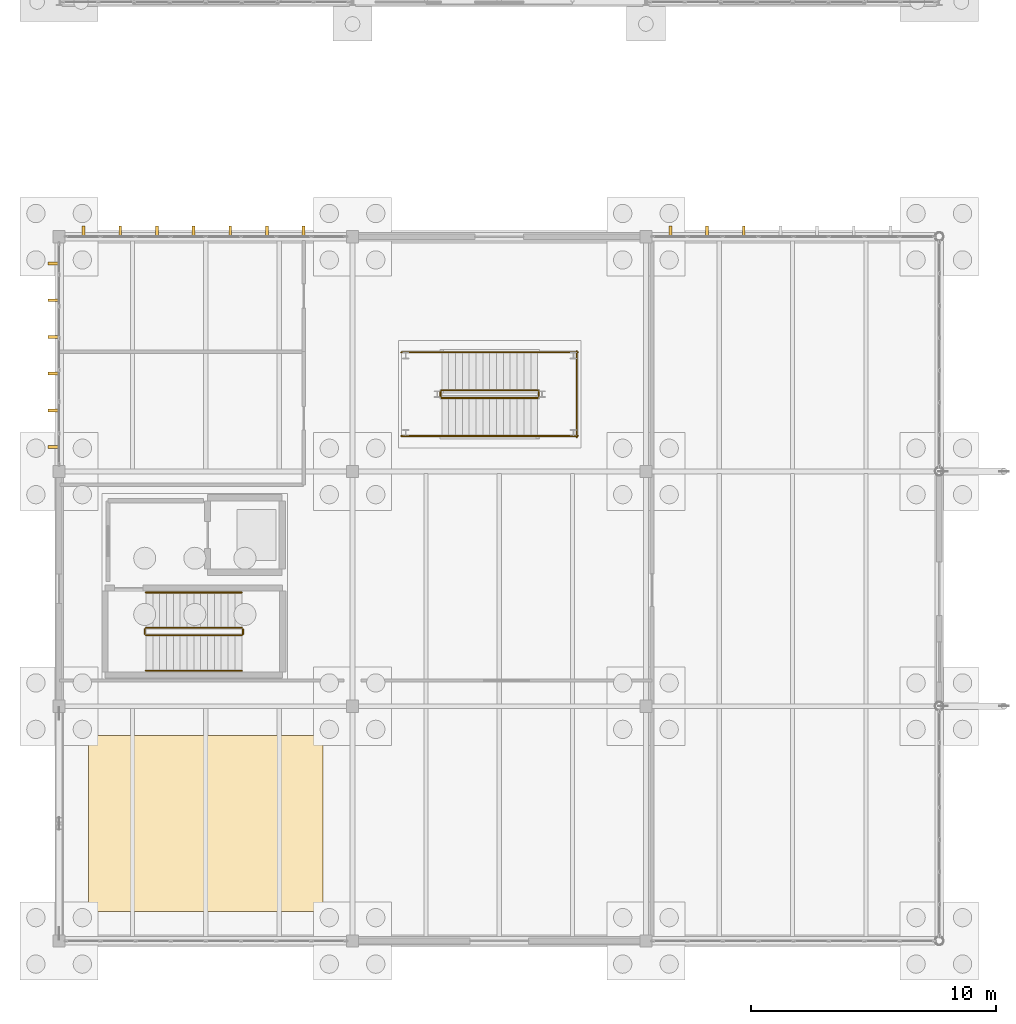
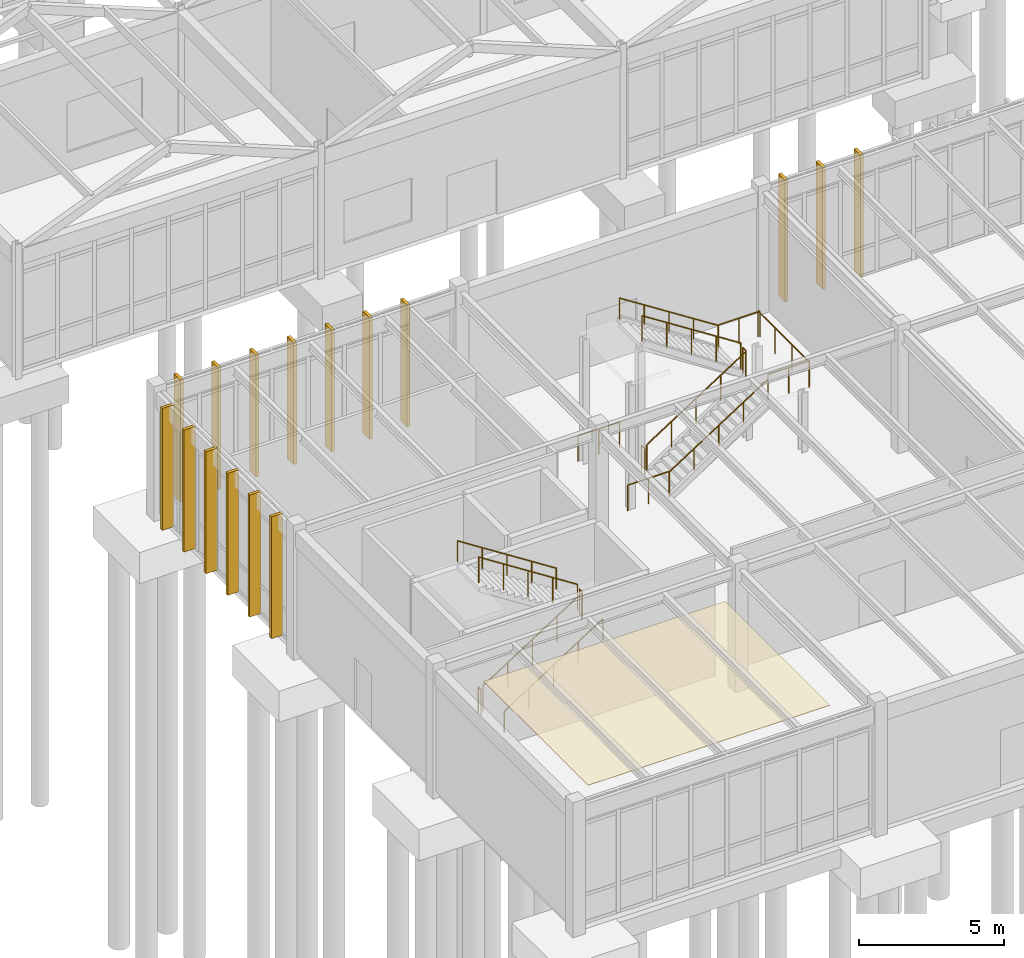
# One storey, part 172 of 188: 17 railings, 16 shading devices, 1 covering.
"""IFC4 building model written with IfcOpenShell, lengths in metres."""

from ifc_helpers import new_model, si_unit, direction, frame, origin, origin_2d, place, context, subcontext, project, spatial, polyline, rectangle, circle, outline, extrude, material, layer, layer_set, type_object, element, save


model = new_model("IFC4")

# Units and contexts
model_context = context("Model", 3, precision=1e-05, world=origin(), true_north=direction((0.0, 1.0)))
body_context = subcontext(model_context, "Body", "Model", "MODEL_VIEW")
ifc_project = project(units=[si_unit("LENGTHUNIT", "METRE"), si_unit("AREAUNIT", "SQUARE_METRE"), si_unit("VOLUMEUNIT", "CUBIC_METRE"), si_unit("PLANEANGLEUNIT", "RADIAN"), si_unit("MASSUNIT", "GRAM", prefix="KILO")], contexts=[model_context])

# Site, building, storey
site_placement = place(None, origin())
site = spatial("IfcSite", under=ifc_project, at=site_placement, CompositionType="ELEMENT")
building_placement = place(site_placement, origin())
building = spatial("IfcBuilding", under=site, at=building_placement, Name="Pandanus Reach Market Hall", CompositionType="ELEMENT")
storey_placement = place(building_placement, origin())
storey = spatial("IfcBuildingStorey", under=building, at=storey_placement, Name="L00", CompositionType="ELEMENT", Elevation=0.0)

# Covering
ifc_material_1 = material(Name="Perforated acoustic gypsum board", Category="gypsum")
ifc_layer = layer(ifc_material_1, 0.02001953125, Name="CLG-ACT-20")
ifc_layer_set = layer_set([ifc_layer], Name="Perforated acoustic gypsum board")
covering_type = type_object("IfcCoveringType", Name="CLG-ACT-20", PredefinedType="CEILING", material=ifc_layer_set)
covering_placement = place(storey_placement, frame((0.0, 0.0, 4.734619140625)))
element("IfcCovering", 1, at=covering_placement, inside=storey, type_object=covering_type, Name="Perforated acoustic ceiling L00.1", PredefinedType="CEILING", context=body_context, shape_type="SweptSolid", body=[
    extrude(outline(polyline([(1.199951171875, 1.199951171875), (10.800048828125, 1.199951171875), (10.800048828125, 8.39990234375), (1.199951171875, 8.39990234375), (1.199951171875, 1.199951171875)])), origin(), (0.0, 0.0, 1.0), 0.02001953125),
])

# Shading devices
ifc_material_2 = material(Name="Precast concrete S50 (50 MPa)", Category="concrete")
shading_device_type = type_object("IfcShadingDeviceType", Name="FN-S50-450", PredefinedType="JALOUSIE", material=ifc_material_2)
for number, where, z_axis, x_axis, name in (
    (2, (1.0, 29.02001953125, -0.010009765625), (0.0, 0.0, 1.0), (0.0, 1.0, 0.0), "Precast brise-soleil fin 194"),
    (3, (2.5, 29.02001953125, -0.010009765625), (0.0, 0.0, 1.0), (0.0, 1.0, 0.0), "Precast brise-soleil fin 195"),
    (4, (4.0, 29.02001953125, -0.010009765625), (0.0, 0.0, 1.0), (0.0, 1.0, 0.0), "Precast brise-soleil fin 196"),
    (5, (5.5, 29.02001953125, -0.010009765625), (0.0, 0.0, 1.0), (0.0, 1.0, 0.0), "Precast brise-soleil fin 197"),
    (6, (7.0, 29.02001953125, -0.010009765625), (0.0, 0.0, 1.0), (0.0, 1.0, 0.0), "Precast brise-soleil fin 198"),
    (7, (8.5, 29.02001953125, -0.010009765625), (0.0, 0.0, 1.0), (0.0, 1.0, 0.0), "Precast brise-soleil fin 199"),
    (8, (10.0, 29.02001953125, -0.010009765625), (0.0, 0.0, 1.0), (0.0, 1.0, 0.0), "Precast brise-soleil fin 200"),
    (9, (25.0, 29.02001953125, -0.010009765625), (0.0, 0.0, 1.0), (0.0, 1.0, 0.0), "Precast brise-soleil fin 201"),
    (10, (26.5, 29.02001953125, -0.010009765625), (0.0, 0.0, 1.0), (0.0, 1.0, 0.0), "Precast brise-soleil fin 202"),
    (11, (28.0, 29.02001953125, -0.010009765625), (0.0, 0.0, 1.0), (0.0, 1.0, 0.0), "Precast brise-soleil fin 203"),
    (12, (-0.219970703125, 20.199951171875, -0.010009765625), (0.0, 0.0, 1.0), (-1.0, 0.0, 0.0), "Precast brise-soleil fin 208"),
    (13, (-0.219970703125, 21.699951171875, -0.010009765625), (0.0, 0.0, 1.0), (-1.0, 0.0, 0.0), "Precast brise-soleil fin 209"),
    (14, (-0.219970703125, 23.199951171875, -0.010009765625), (0.0, 0.0, 1.0), (-1.0, 0.0, 0.0), "Precast brise-soleil fin 210"),
    (15, (-0.219970703125, 24.699951171875, -0.010009765625), (0.0, 0.0, 1.0), (-1.0, 0.0, 0.0), "Precast brise-soleil fin 211"),
    (16, (-0.219970703125, 26.199951171875, -0.010009765625), (0.0, 0.0, 1.0), (-1.0, 0.0, 0.0), "Precast brise-soleil fin 212"),
    (17, (-0.219970703125, 27.699951171875, -0.010009765625), (0.0, 0.0, 1.0), (-1.0, 0.0, 0.0), "Precast brise-soleil fin 213"),
):
    element("IfcShadingDevice", number, at=place(storey_placement, frame(where, z_axis=z_axis, x_axis=x_axis)), inside=storey, type_object=shading_device_type, Name=name, PredefinedType="JALOUSIE", context=body_context, shape_type="SweptSolid", body=[
        extrude(rectangle(XDim=0.449951171875, YDim=0.1201171875, at=origin_2d()), origin(), (0.0, 0.0, 1.0), 5.1201171875),
    ])

# Railings
ifc_material_3 = material(Name="Galvanised steel Grade 350 (350 MPa)", Category="steel")
railing_type_1 = type_object("IfcRailingType", Name="GR-INT-110", PredefinedType="GUARDRAIL", material=ifc_material_3)
railing_1_placement = place(storey_placement, frame((3.550048828125, 12.5, 0.179931640625)))
element("IfcRailing", 18, at=railing_1_placement, inside=storey, type_object=railing_type_1, Name="Stair guard ST-04 L00.94", PredefinedType="GUARDRAIL", context=body_context, shape_type="SweptSolid", body=[
    extrude(circle(Radius=0.02392578125, at=origin_2d()), frame((0.0, 0.0, 1.076171875), z_axis=(0.841171666519, 0.0, 0.540768182723), x_axis=(0.0, 1.0, 0.0)), (0.0, 0.0, 1.0), 4.66015625),
    extrude(circle(Radius=0.02099609375, at=origin_2d()), origin(), (0.0, 0.0, 1.0), 1.052001953125),
    extrude(circle(Radius=0.02099609375, at=origin_2d()), frame((0.97998046875, 0.0, 0.6298828125)), (0.0, 0.0, 1.0), 1.052001953125),
    extrude(circle(Radius=0.02099609375, at=origin_2d()), frame((1.9599609375, 0.0, 1.260009765625)), (0.0, 0.0, 1.0), 1.052001953125),
    extrude(circle(Radius=0.02099609375, at=origin_2d()), frame((2.93994140625, 0.0, 1.89013671875)), (0.0, 0.0, 1.0), 1.052001953125),
    extrude(circle(Radius=0.02099609375, at=origin_2d()), frame((3.919921875, 0.0, 2.52001953125)), (0.0, 0.0, 1.0), 1.052001953125),
])
railing_2_placement = place(storey_placement, frame((7.52001953125, 12.550048828125, 2.699951171875)))
element("IfcRailing", 19, at=railing_2_placement, inside=storey, type_object=railing_type_1, Name="Stair guard ST-04 L00.95", PredefinedType="GUARDRAIL", context=body_context, shape_type="SweptSolid", body=[
    extrude(circle(Radius=0.02392578125, at=origin_2d()), frame((0.0, 0.0, 1.076171875), z_axis=(0.0, 1.0, 0.0), x_axis=(-1.0, 0.0, 0.0)), (0.0, 0.0, 1.0), 0.199951171875),
    extrude(circle(Radius=0.02099609375, at=origin_2d()), origin(), (0.0, 0.0, 1.0), 1.052001953125),
    extrude(circle(Radius=0.02099609375, at=origin_2d()), frame((0.0, 0.199951171875, 0.0)), (0.0, 0.0, 1.0), 1.052001953125),
])
railing_3_placement = place(storey_placement, frame((7.469970703125, 12.800048828125, 2.8798828125)))
element("IfcRailing", 20, at=railing_3_placement, inside=storey, type_object=railing_type_1, Name="Stair guard ST-04 L00.96", PredefinedType="GUARDRAIL", context=body_context, shape_type="SweptSolid", body=[
    extrude(circle(Radius=0.02392578125, at=origin_2d()), frame((0.0, 0.0, 1.076171875), z_axis=(-0.841171666519, 0.0, 0.540768182723), x_axis=(0.0, -1.0, 0.0)), (0.0, 0.0, 1.0), 4.66015625),
    extrude(circle(Radius=0.02099609375, at=origin_2d()), origin(), (0.0, 0.0, 1.0), 1.052001953125),
    extrude(circle(Radius=0.02099609375, at=origin_2d()), frame((-0.97998046875, 0.0, 0.6298828125)), (0.0, 0.0, 1.0), 1.052001953125),
    extrude(circle(Radius=0.02099609375, at=origin_2d()), frame((-1.9599609375, 0.0, 1.260009765625)), (0.0, 0.0, 1.0), 1.052001953125),
    extrude(circle(Radius=0.02099609375, at=origin_2d()), frame((-2.93994140625, 0.0, 1.89013671875)), (0.0, 0.0, 1.0), 1.052001953125),
    extrude(circle(Radius=0.02099609375, at=origin_2d()), frame((-3.919921875, 0.0, 2.52001953125)), (0.0, 0.0, 1.0), 1.052001953125),
])
railing_4_placement = place(storey_placement, frame((3.5, 12.550048828125, 0.0)))
element("IfcRailing", 21, at=railing_4_placement, inside=storey, type_object=railing_type_1, Name="Stair guard ST-04 L00.97", PredefinedType="GUARDRAIL", context=body_context, shape_type="SweptSolid", body=[
    extrude(circle(Radius=0.02392578125, at=origin_2d()), frame((0.0, 0.0, 1.076171875), z_axis=(0.0, 1.0, 0.0), x_axis=(-1.0, 0.0, 0.0)), (0.0, 0.0, 1.0), 0.199951171875),
    extrude(circle(Radius=0.02099609375, at=origin_2d()), origin(), (0.0, 0.0, 1.0), 1.052001953125),
    extrude(circle(Radius=0.02099609375, at=origin_2d()), frame((0.0, 0.199951171875, 0.0)), (0.0, 0.0, 1.0), 1.052001953125),
])
railing_5_placement = place(storey_placement, frame((15.64990234375, 22.199951171875, 0.179931640625)))
element("IfcRailing", 22, at=railing_5_placement, inside=storey, type_object=railing_type_1, Name="Stair guard ST-10 L00.164", PredefinedType="GUARDRAIL", context=body_context, shape_type="SweptSolid", body=[
    extrude(circle(Radius=0.02392578125, at=origin_2d()), frame((0.0, 0.0, 1.076171875), z_axis=(0.841186985886, 0.0, 0.540744352514), x_axis=(0.0, 1.0, 0.0)), (0.0, 0.0, 1.0), 4.660400390625),
    extrude(circle(Radius=0.02099609375, at=origin_2d()), origin(), (0.0, 0.0, 1.0), 1.052001953125),
    extrude(circle(Radius=0.02099609375, at=origin_2d()), frame((0.97998046875, 0.0, 0.6298828125)), (0.0, 0.0, 1.0), 1.052001953125),
    extrude(circle(Radius=0.02099609375, at=origin_2d()), frame((1.9599609375, 0.0, 1.260009765625)), (0.0, 0.0, 1.0), 1.052001953125),
    extrude(circle(Radius=0.02099609375, at=origin_2d()), frame((2.940185546875, 0.0, 1.89013671875)), (0.0, 0.0, 1.0), 1.052001953125),
    extrude(circle(Radius=0.02099609375, at=origin_2d()), frame((3.920166015625, 0.0, 2.52001953125)), (0.0, 0.0, 1.0), 1.052001953125),
])
railing_6_placement = place(storey_placement, frame((19.6201171875, 22.25, 2.699951171875)))
element("IfcRailing", 23, at=railing_6_placement, inside=storey, type_object=railing_type_1, Name="Stair guard ST-10 L00.165", PredefinedType="GUARDRAIL", context=body_context, shape_type="SweptSolid", body=[
    extrude(circle(Radius=0.02392578125, at=origin_2d()), frame((0.0, 0.0, 1.076171875), z_axis=(0.0, 1.0, 0.0), x_axis=(-1.0, 0.0, 0.0)), (0.0, 0.0, 1.0), 0.219970703125),
    extrude(circle(Radius=0.02099609375, at=origin_2d()), origin(), (0.0, 0.0, 1.0), 1.052001953125),
    extrude(circle(Radius=0.02099609375, at=origin_2d()), frame((0.0, 0.219970703125, 0.0)), (0.0, 0.0, 1.0), 1.052001953125),
])
for number, where, name in (
    (24, (19.570068359375, 20.64990234375, 2.699951171875), "Stair guard ST-10 L00.166"),
    (25, (19.570068359375, 24.070068359375, 2.699951171875), "Stair guard ST-10 L00.167"),
):
    element("IfcRailing", number, at=place(storey_placement, frame(where)), inside=storey, type_object=railing_type_1, Name=name, PredefinedType="GUARDRAIL", context=body_context, shape_type="SweptSolid", body=[
        extrude(circle(Radius=0.02392578125, at=origin_2d()), frame((0.0, 0.0, 1.076171875), z_axis=(1.0, 0.0, 0.0), x_axis=(0.0, 1.0, 0.0)), (0.0, 0.0, 1.0), 1.64990234375),
        extrude(circle(Radius=0.02099609375, at=origin_2d()), origin(), (0.0, 0.0, 1.0), 1.052001953125),
        extrude(circle(Radius=0.02099609375, at=origin_2d()), frame((0.824951171875, 0.0, 0.0)), (0.0, 0.0, 1.0), 1.052001953125),
        extrude(circle(Radius=0.02099609375, at=origin_2d()), frame((1.64990234375, 0.0, 0.0)), (0.0, 0.0, 1.0), 1.052001953125),
    ])
railing_7_placement = place(storey_placement, frame((21.169921875, 20.60009765625, 2.699951171875)))
element("IfcRailing", 26, at=railing_7_placement, inside=storey, type_object=railing_type_1, Name="Stair guard ST-10 L00.168", PredefinedType="GUARDRAIL", context=body_context, shape_type="SweptSolid", body=[
    extrude(circle(Radius=0.02392578125, at=origin_2d()), frame((0.0, 0.0, 1.076171875), z_axis=(0.0, 1.0, 0.0), x_axis=(-1.0, 0.0, 0.0)), (0.0, 0.0, 1.0), 3.52001953125),
    extrude(circle(Radius=0.02099609375, at=origin_2d()), origin(), (0.0, 0.0, 1.0), 1.052001953125),
    extrude(circle(Radius=0.02099609375, at=origin_2d()), frame((0.0, 1.17333984375, 0.0)), (0.0, 0.0, 1.0), 1.052001953125),
    extrude(circle(Radius=0.02099609375, at=origin_2d()), frame((0.0, 2.3466796875, 0.0)), (0.0, 0.0, 1.0), 1.052001953125),
    extrude(circle(Radius=0.02099609375, at=origin_2d()), frame((0.0, 3.52001953125, 0.0)), (0.0, 0.0, 1.0), 1.052001953125),
])
railing_8_placement = place(storey_placement, frame((19.570068359375, 22.52001953125, 2.8798828125)))
element("IfcRailing", 27, at=railing_8_placement, inside=storey, type_object=railing_type_1, Name="Stair guard ST-10 L00.169", PredefinedType="GUARDRAIL", context=body_context, shape_type="SweptSolid", body=[
    extrude(circle(Radius=0.02392578125, at=origin_2d()), frame((0.0, 0.0, 1.076171875), z_axis=(-0.841186985886, 0.0, 0.540744352514), x_axis=(0.0, -1.0, 0.0)), (0.0, 0.0, 1.0), 4.660400390625),
    extrude(circle(Radius=0.02099609375, at=origin_2d()), origin(), (0.0, 0.0, 1.0), 1.052001953125),
    extrude(circle(Radius=0.02099609375, at=origin_2d()), frame((-0.97998046875, 0.0, 0.6298828125)), (0.0, 0.0, 1.0), 1.052001953125),
    extrude(circle(Radius=0.02099609375, at=origin_2d()), frame((-1.9599609375, 0.0, 1.260009765625)), (0.0, 0.0, 1.0), 1.052001953125),
    extrude(circle(Radius=0.02099609375, at=origin_2d()), frame((-2.940185546875, 0.0, 1.89013671875)), (0.0, 0.0, 1.0), 1.052001953125),
    extrude(circle(Radius=0.02099609375, at=origin_2d()), frame((-3.920166015625, 0.0, 2.52001953125)), (0.0, 0.0, 1.0), 1.052001953125),
])
railing_9_placement = place(storey_placement, frame((15.60009765625, 22.25, 0.0)))
element("IfcRailing", 28, at=railing_9_placement, inside=storey, type_object=railing_type_1, Name="Stair guard ST-10 L00.170", PredefinedType="GUARDRAIL", context=body_context, shape_type="SweptSolid", body=[
    extrude(circle(Radius=0.02392578125, at=origin_2d()), frame((0.0, 0.0, 1.076171875), z_axis=(0.0, 1.0, 0.0), x_axis=(-1.0, 0.0, 0.0)), (0.0, 0.0, 1.0), 0.219970703125),
    extrude(circle(Radius=0.02099609375, at=origin_2d()), origin(), (0.0, 0.0, 1.0), 1.052001953125),
    extrude(circle(Radius=0.02099609375, at=origin_2d()), frame((0.0, 0.219970703125, 0.0)), (0.0, 0.0, 1.0), 1.052001953125),
])
for number, where, name in (
    (29, (14.0, 20.64990234375, 0.0), "Stair guard ST-10 L00.171"),
    (30, (14.0, 24.070068359375, 0.0), "Stair guard ST-10 L00.172"),
):
    element("IfcRailing", number, at=place(storey_placement, frame(where)), inside=storey, type_object=railing_type_1, Name=name, PredefinedType="GUARDRAIL", context=body_context, shape_type="SweptSolid", body=[
        extrude(circle(Radius=0.02392578125, at=origin_2d()), frame((0.0, 0.0, 1.076171875), z_axis=(1.0, 0.0, 0.0), x_axis=(0.0, 1.0, 0.0)), (0.0, 0.0, 1.0), 1.64990234375),
        extrude(circle(Radius=0.02099609375, at=origin_2d()), origin(), (0.0, 0.0, 1.0), 1.052001953125),
        extrude(circle(Radius=0.02099609375, at=origin_2d()), frame((0.824951171875, 0.0, 0.0)), (0.0, 0.0, 1.0), 1.052001953125),
        extrude(circle(Radius=0.02099609375, at=origin_2d()), frame((1.64990234375, 0.0, 0.0)), (0.0, 0.0, 1.0), 1.052001953125),
    ])
ifc_material_4 = material(Name="Brushed stainless steel", Category="steel")
railing_type_2 = type_object("IfcRailingType", Name="HR-WAL-090", PredefinedType="HANDRAIL", material=ifc_material_4)
railing_10_placement = place(storey_placement, frame((3.550048828125, 11.050048828125, 0.179931640625)))
element("IfcRailing", 31, at=railing_10_placement, inside=storey, type_object=railing_type_2, Name="Stair handrail ST-04 L00.98", PredefinedType="HANDRAIL", context=body_context, shape_type="SweptSolid", body=[
    extrude(circle(Radius=0.02392578125, at=origin_2d()), frame((0.0, 0.0, 0.8759765625), z_axis=(0.841171666519, 0.0, 0.540768182723), x_axis=(0.0, 1.0, 0.0)), (0.0, 0.0, 1.0), 4.66015625),
    extrude(circle(Radius=0.02099609375, at=origin_2d()), origin(), (0.0, 0.0, 1.0), 0.851806640625),
    extrude(circle(Radius=0.02099609375, at=origin_2d()), frame((0.97998046875, 0.0, 0.6298828125)), (0.0, 0.0, 1.0), 0.851806640625),
    extrude(circle(Radius=0.02099609375, at=origin_2d()), frame((1.9599609375, 0.0, 1.260009765625)), (0.0, 0.0, 1.0), 0.851806640625),
    extrude(circle(Radius=0.02099609375, at=origin_2d()), frame((2.93994140625, 0.0, 1.89013671875)), (0.0, 0.0, 1.0), 0.851806640625),
    extrude(circle(Radius=0.02099609375, at=origin_2d()), frame((3.919921875, 0.0, 2.52001953125)), (0.0, 0.0, 1.0), 0.851806640625),
])
railing_11_placement = place(storey_placement, frame((7.469970703125, 14.25, 2.8798828125)))
element("IfcRailing", 32, at=railing_11_placement, inside=storey, type_object=railing_type_2, Name="Stair handrail ST-04 L00.99", PredefinedType="HANDRAIL", context=body_context, shape_type="SweptSolid", body=[
    extrude(circle(Radius=0.02392578125, at=origin_2d()), frame((0.0, 0.0, 0.8759765625), z_axis=(-0.841171666519, 0.0, 0.540768182723), x_axis=(0.0, -1.0, 0.0)), (0.0, 0.0, 1.0), 4.66015625),
    extrude(circle(Radius=0.02099609375, at=origin_2d()), origin(), (0.0, 0.0, 1.0), 0.851806640625),
    extrude(circle(Radius=0.02099609375, at=origin_2d()), frame((-0.97998046875, 0.0, 0.6298828125)), (0.0, 0.0, 1.0), 0.851806640625),
    extrude(circle(Radius=0.02099609375, at=origin_2d()), frame((-1.9599609375, 0.0, 1.260009765625)), (0.0, 0.0, 1.0), 0.851806640625),
    extrude(circle(Radius=0.02099609375, at=origin_2d()), frame((-2.93994140625, 0.0, 1.89013671875)), (0.0, 0.0, 1.0), 0.851806640625),
    extrude(circle(Radius=0.02099609375, at=origin_2d()), frame((-3.919921875, 0.0, 2.52001953125)), (0.0, 0.0, 1.0), 0.851806640625),
])
railing_12_placement = place(storey_placement, frame((15.64990234375, 20.64990234375, 0.179931640625)))
element("IfcRailing", 33, at=railing_12_placement, inside=storey, type_object=railing_type_2, Name="Stair handrail ST-10 L00.173", PredefinedType="HANDRAIL", context=body_context, shape_type="SweptSolid", body=[
    extrude(circle(Radius=0.02392578125, at=origin_2d()), frame((0.0, 0.0, 0.8759765625), z_axis=(0.841186985886, 0.0, 0.540744352514), x_axis=(0.0, 1.0, 0.0)), (0.0, 0.0, 1.0), 4.660400390625),
    extrude(circle(Radius=0.02099609375, at=origin_2d()), origin(), (0.0, 0.0, 1.0), 0.851806640625),
    extrude(circle(Radius=0.02099609375, at=origin_2d()), frame((0.97998046875, 0.0, 0.6298828125)), (0.0, 0.0, 1.0), 0.851806640625),
    extrude(circle(Radius=0.02099609375, at=origin_2d()), frame((1.9599609375, 0.0, 1.260009765625)), (0.0, 0.0, 1.0), 0.851806640625),
    extrude(circle(Radius=0.02099609375, at=origin_2d()), frame((2.940185546875, 0.0, 1.89013671875)), (0.0, 0.0, 1.0), 0.851806640625),
    extrude(circle(Radius=0.02099609375, at=origin_2d()), frame((3.920166015625, 0.0, 2.52001953125)), (0.0, 0.0, 1.0), 0.851806640625),
])
railing_13_placement = place(storey_placement, frame((19.570068359375, 24.070068359375, 2.8798828125)))
element("IfcRailing", 34, at=railing_13_placement, inside=storey, type_object=railing_type_2, Name="Stair handrail ST-10 L00.174", PredefinedType="HANDRAIL", context=body_context, shape_type="SweptSolid", body=[
    extrude(circle(Radius=0.02392578125, at=origin_2d()), frame((0.0, 0.0, 0.8759765625), z_axis=(-0.841186985886, 0.0, 0.540744352514), x_axis=(0.0, -1.0, 0.0)), (0.0, 0.0, 1.0), 4.660400390625),
    extrude(circle(Radius=0.02099609375, at=origin_2d()), origin(), (0.0, 0.0, 1.0), 0.851806640625),
    extrude(circle(Radius=0.02099609375, at=origin_2d()), frame((-0.97998046875, 0.0, 0.6298828125)), (0.0, 0.0, 1.0), 0.851806640625),
    extrude(circle(Radius=0.02099609375, at=origin_2d()), frame((-1.9599609375, 0.0, 1.260009765625)), (0.0, 0.0, 1.0), 0.851806640625),
    extrude(circle(Radius=0.02099609375, at=origin_2d()), frame((-2.940185546875, 0.0, 1.89013671875)), (0.0, 0.0, 1.0), 0.851806640625),
    extrude(circle(Radius=0.02099609375, at=origin_2d()), frame((-3.920166015625, 0.0, 2.52001953125)), (0.0, 0.0, 1.0), 0.851806640625),
])

save(model, "model.ifc")
